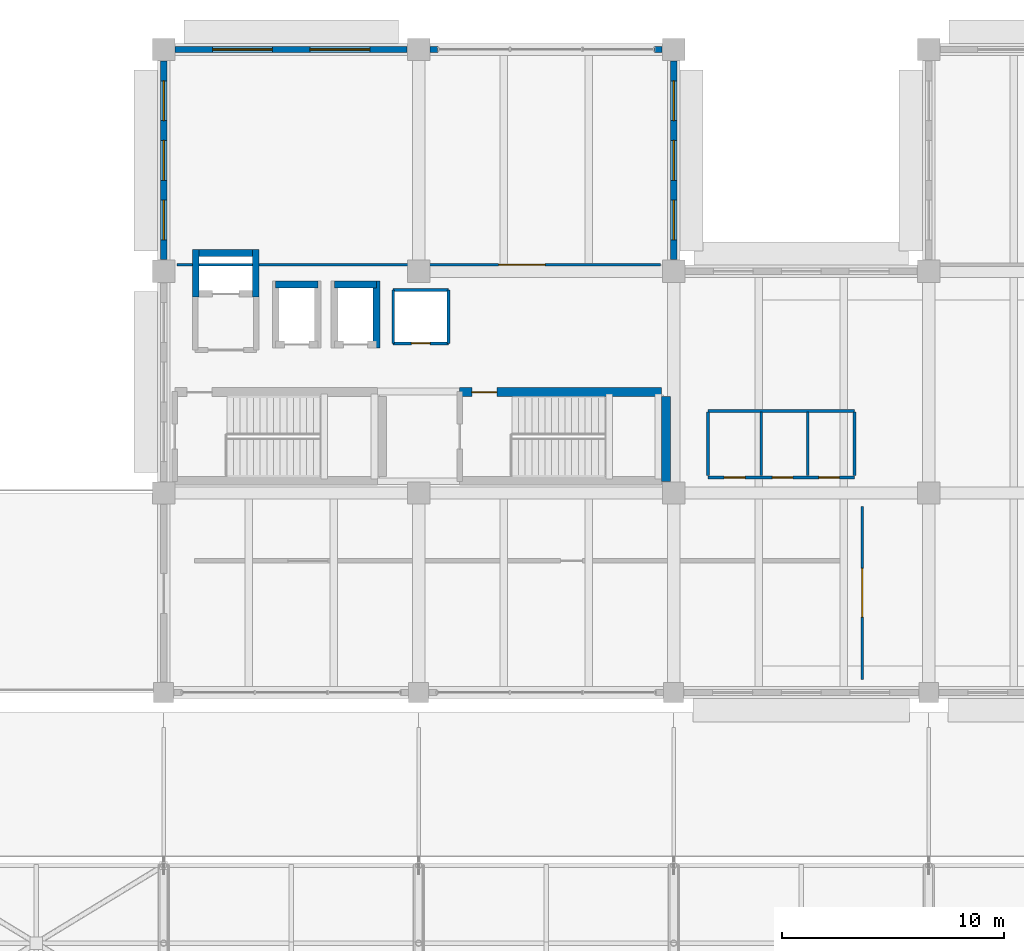
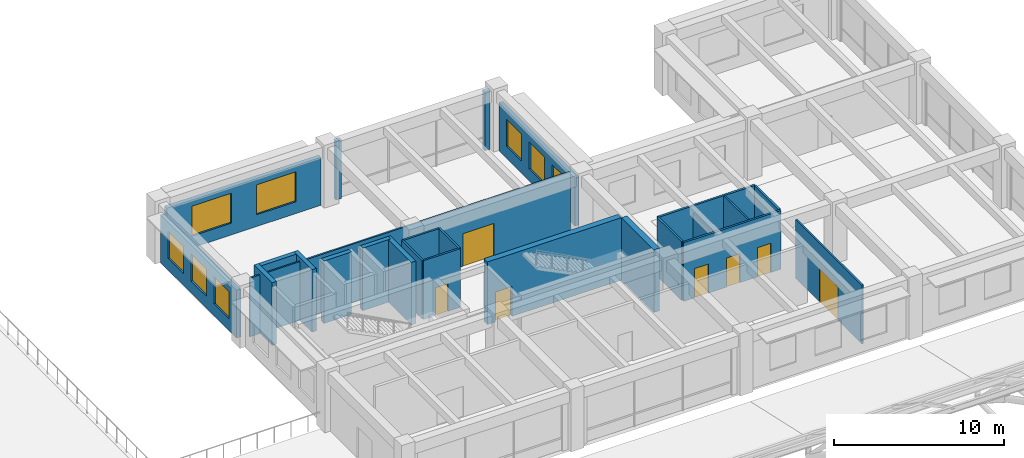
# One storey, part 138 of 154: 25 walls, 8 windows, 7 doors, 15 openings.
"""IFC4 building model written with IfcOpenShell, lengths in metres."""

from ifc_helpers import new_model, si_unit, direction, frame, frame_2d, origin, place, context, subcontext, project, spatial, rectangle, extrude, material, layer, layer_set, type_object, element, fill, save


model = new_model("IFC4")

# Units and contexts
model_context = context("Model", 3, precision=1e-05, world=origin(), true_north=direction((0.0, 1.0)))
body_context = subcontext(model_context, "Body", "Model", "MODEL_VIEW")
ifc_project = project(units=[si_unit("LENGTHUNIT", "METRE"), si_unit("AREAUNIT", "SQUARE_METRE"), si_unit("VOLUMEUNIT", "CUBIC_METRE"), si_unit("PLANEANGLEUNIT", "RADIAN"), si_unit("MASSUNIT", "GRAM", prefix="KILO")], contexts=[model_context])

# Site, building, storey
site_placement = place(None, origin())
site = spatial("IfcSite", under=ifc_project, at=site_placement, CompositionType="ELEMENT")
building_placement = place(site_placement, origin())
building = spatial("IfcBuilding", under=site, at=building_placement, Name="Ologun Quay Terminus", CompositionType="ELEMENT")
storey_placement = place(building_placement, frame((0.0, 0.0, 13.800048828125)))
storey = spatial("IfcBuildingStorey", under=building, at=storey_placement, Name="L03", CompositionType="ELEMENT", Elevation=13.800048828125)

# Wall, opening, door
ifc_material_1 = material(Name="Concrete C40/50", Category="concrete")
ifc_layer_1 = layer(ifc_material_1, 0.39990234375)
ifc_layer_set_1 = layer_set([ifc_layer_1], Name="Concrete C40/50")
wall_type_1 = type_object("IfcWallType", Name="Coupled Wing Upper Core Shear Wall 400", PredefinedType="SHEAR", material=ifc_layer_set_1)
wall_1_placement = place(storey_placement, frame((36.35009765625, 99.35009765625, 0.0), z_axis=(0.0, 0.0, 1.0), x_axis=(1.0, 0.0, 0.0)))
wall_1 = element("IfcWall", 1, at=wall_1_placement, inside=storey, type_object=wall_type_1, Name="WC2 Core North Shear Wall L03", PredefinedType="SHEAR", context=body_context, shape_type="SweptSolid", body=[
    extrude(rectangle(XDim=9.099853515625, YDim=0.39990234375, at=frame_2d((4.5498046875, 0.0))), origin(), (0.0, 0.0, 1.0), 4.5),
])
opening_1_placement = place(wall_1_placement, frame((0.550048828125, 0.0, 0.0)))
opening_1 = element("IfcOpeningElement", 2, at=opening_1_placement, cuts=wall_1, Name="Opening ID-124", PredefinedType="OPENING", context=body_context, shape_type="SweptSolid", body=[
    extrude(rectangle(XDim=1.1298828125, YDim=2.14990234375, at=frame_2d((0.56494140625, 1.074951171875))), frame((0.0, 0.2099609375, 0.0), z_axis=(0.0, -1.0, 0.0), x_axis=(1.0, 0.0, 0.0)), (0.0, 0.0, 1.0), 0.419921875),
])
ifc_material_2 = material(Name="Steel S355", Category="steel")
door_type_1 = type_object("IfcDoorType", Name="Stairwell Fire Escape Door 1130x2150", OperationType="SINGLE_SWING_LEFT", PredefinedType="DOOR", material=ifc_material_2)
door_1_placement = place(opening_1_placement, frame((0.56494140625, 0.0, 0.0), z_axis=(0.0, 0.0, 1.0), x_axis=(-1.0, 0.0, 0.0)))
door_1 = element("IfcDoor", 3, at=door_1_placement, inside=storey, type_object=door_type_1, Name="FD-01 Door ID-124", OperationType="SINGLE_SWING_LEFT", OverallHeight=2.14990234375, OverallWidth=1.1298828125, PredefinedType="DOOR", context=body_context, shape_type="SweptSolid", body=[
    extrude(rectangle(XDim=1.1298828125, YDim=2.14990234375, at=frame_2d((0.0, 1.074951171875))), frame((0.0, 0.02490234375, 0.0), z_axis=(0.0, -1.0, 0.0), x_axis=(1.0, 0.0, 0.0)), (0.0, 0.0, 1.0), 0.050048828125),
])
fill(opening_1, door_1)

# Wall
wall_2_placement = place(storey_placement, frame((45.64990234375, 95.320068359375, 0.0), z_axis=(0.0, 0.0, 1.0), x_axis=(0.0, 1.0, 0.0)))
element("IfcWall", 4, at=wall_2_placement, inside=storey, type_object=wall_type_1, Name="WC2 Core East Shear Wall L03", PredefinedType="SHEAR", context=body_context, shape_type="SweptSolid", body=[
    extrude(rectangle(XDim=3.829833984375, YDim=0.39990234375, at=frame_2d((1.9150390625, 0.0))), origin(), (0.0, 0.0, 1.0), 4.5),
])

# Wall, openings, windows
ifc_material_3 = material(Name="Concrete C40/50", Category="concrete")
ifc_layer_2 = layer(ifc_material_3, 0.280029296875)
ifc_layer_set_2 = layer_set([ifc_layer_2], Name="Concrete C40/50")
wall_type_2 = type_object("IfcWallType", Name="Courtyard Wing Spandrel Concrete Wall 280", PredefinedType="SOLIDWALL", material=ifc_layer_set_2)
wall_3_placement = place(storey_placement, frame((46.0, 105.320068359375, 0.0), z_axis=(0.0, 0.0, 1.0), x_axis=(0.0, 1.0, 0.0)))
wall_3 = element("IfcWall", 5, at=wall_3_placement, inside=storey, type_object=wall_type_2, Name="EW-02 Facade Wall WEW-WW-O-L03-11", PredefinedType="SOLIDWALL", context=body_context, shape_type="SweptSolid", body=[
    extrude(rectangle(XDim=8.9599609375, YDim=0.280029296875, at=frame_2d((4.47998046875, 0.0))), origin(), (0.0, 0.0, 1.0), 3.449951171875),
])
opening_2_placement = place(wall_3_placement, frame((0.889892578125, 0.0, 0.85009765625)))
opening_2 = element("IfcOpeningElement", 6, at=opening_2_placement, cuts=wall_3, Name="Opening WN-300", PredefinedType="OPENING", context=body_context, shape_type="SweptSolid", body=[
    extrude(rectangle(XDim=1.800048828125, YDim=1.949951171875, at=frame_2d((0.89990234375, 0.97509765625))), frame((0.0, 0.14990234375, 0.0), z_axis=(0.0, -1.0, 0.0), x_axis=(1.0, 0.0, 0.0)), (0.0, 0.0, 1.0), 0.300048828125),
])
opening_3_placement = place(wall_3_placement, frame((3.580078125, 0.0, 0.85009765625)))
opening_3 = element("IfcOpeningElement", 7, at=opening_3_placement, cuts=wall_3, Name="Opening WN-301", PredefinedType="OPENING", context=body_context, shape_type="SweptSolid", body=[
    extrude(rectangle(XDim=1.800048828125, YDim=1.949951171875, at=frame_2d((0.89990234375, 0.97509765625))), frame((0.0, 0.14990234375, 0.0), z_axis=(0.0, -1.0, 0.0), x_axis=(1.0, 0.0, 0.0)), (0.0, 0.0, 1.0), 0.300048828125),
])
opening_4_placement = place(wall_3_placement, frame((6.27001953125, 0.0, 0.85009765625)))
opening_4 = element("IfcOpeningElement", 8, at=opening_4_placement, cuts=wall_3, Name="Opening WN-302", PredefinedType="OPENING", context=body_context, shape_type="SweptSolid", body=[
    extrude(rectangle(XDim=1.800048828125, YDim=1.949951171875, at=frame_2d((0.89990234375, 0.97509765625))), frame((0.0, 0.14990234375, 0.0), z_axis=(0.0, -1.0, 0.0), x_axis=(1.0, 0.0, 0.0)), (0.0, 0.0, 1.0), 0.300048828125),
])
ifc_material_4 = material(Name="Glass", Category="glass")
window_type_1 = type_object("IfcWindowType", Name="Waterfront Pavilion Module Window 1800x1950", PartitioningType="SINGLE_PANEL", PredefinedType="WINDOW", material=ifc_material_4)
window_1_placement = place(opening_2_placement, origin())
window_1 = element("IfcWindow", 9, at=window_1_placement, inside=storey, type_object=window_type_1, Name="W-11 Window WN-300", OverallHeight=1.949951171875, OverallWidth=1.800048828125, PartitioningType="SINGLE_PANEL", PredefinedType="WINDOW", context=body_context, shape_type="SweptSolid", body=[
    extrude(rectangle(XDim=1.800048828125, YDim=1.949951171875, at=frame_2d((0.89990234375, 0.97509765625))), frame((0.0, 0.030029296875, 0.0), z_axis=(0.0, -1.0, 0.0), x_axis=(1.0, 0.0, 0.0)), (0.0, 0.0, 1.0), 0.06005859375),
])
fill(opening_2, window_1)
window_2_placement = place(opening_3_placement, origin())
window_2 = element("IfcWindow", 10, at=window_2_placement, inside=storey, type_object=window_type_1, Name="W-11 Window WN-301", OverallHeight=1.949951171875, OverallWidth=1.800048828125, PartitioningType="SINGLE_PANEL", PredefinedType="WINDOW", context=body_context, shape_type="SweptSolid", body=[
    extrude(rectangle(XDim=1.800048828125, YDim=1.949951171875, at=frame_2d((0.89990234375, 0.97509765625))), frame((0.0, 0.030029296875, 0.0), z_axis=(0.0, -1.0, 0.0), x_axis=(1.0, 0.0, 0.0)), (0.0, 0.0, 1.0), 0.06005859375),
])
fill(opening_3, window_2)
window_3_placement = place(opening_4_placement, origin())
window_3 = element("IfcWindow", 11, at=window_3_placement, inside=storey, type_object=window_type_1, Name="W-11 Window WN-302", OverallHeight=1.949951171875, OverallWidth=1.800048828125, PartitioningType="SINGLE_PANEL", PredefinedType="WINDOW", context=body_context, shape_type="SweptSolid", body=[
    extrude(rectangle(XDim=1.800048828125, YDim=1.949951171875, at=frame_2d((0.89990234375, 0.97509765625))), frame((0.0, 0.030029296875, 0.0), z_axis=(0.0, -1.0, 0.0), x_axis=(1.0, 0.0, 0.0)), (0.0, 0.0, 1.0), 0.06005859375),
])
fill(opening_4, window_3)

wall_4_placement = place(storey_placement, frame((23.52001953125, 114.800048828125, 0.0), z_axis=(0.0, 0.0, 1.0), x_axis=(1.0, 0.0, 0.0)))
wall_4 = element("IfcWall", 12, at=wall_4_placement, inside=storey, type_object=wall_type_2, Name="EW-02 Facade Wall WEW-WW-N-L03-12", PredefinedType="SOLIDWALL", context=body_context, shape_type="SweptSolid", body=[
    extrude(rectangle(XDim=10.4599609375, YDim=0.280029296875, at=frame_2d((5.22998046875, 0.0))), origin(), (0.0, 0.0, 1.0), 3.449951171875),
])
opening_5_placement = place(wall_4_placement, frame((1.686767578125, 0.0, 0.85009765625)))
opening_5 = element("IfcOpeningElement", 13, at=opening_5_placement, cuts=wall_4, Name="Opening WN-303", PredefinedType="OPENING", context=body_context, shape_type="SweptSolid", body=[
    extrude(rectangle(XDim=2.699951171875, YDim=2.14990234375, at=frame_2d((1.35009765625, 1.074951171875))), frame((0.0, 0.14990234375, 0.0), z_axis=(0.0, -1.0, 0.0), x_axis=(1.0, 0.0, 0.0)), (0.0, 0.0, 1.0), 0.300048828125),
])
opening_6_placement = place(wall_4_placement, frame((6.0732421875, 0.0, 0.85009765625)))
opening_6 = element("IfcOpeningElement", 14, at=opening_6_placement, cuts=wall_4, Name="Opening WN-304", PredefinedType="OPENING", context=body_context, shape_type="SweptSolid", body=[
    extrude(rectangle(XDim=2.699951171875, YDim=2.14990234375, at=frame_2d((1.35009765625, 1.074951171875))), frame((0.0, 0.14990234375, 0.0), z_axis=(0.0, -1.0, 0.0), x_axis=(1.0, 0.0, 0.0)), (0.0, 0.0, 1.0), 0.300048828125),
])
ifc_material_5 = material(Name="Glass", Category="glass")
window_type_2 = type_object("IfcWindowType", Name="Lagoon Restaurant Panorama Window 2700x2150", PartitioningType="SINGLE_PANEL", PredefinedType="WINDOW", material=ifc_material_5)
window_4_placement = place(opening_5_placement, origin())
window_4 = element("IfcWindow", 15, at=window_4_placement, inside=storey, type_object=window_type_2, Name="W-15 Window WN-303", OverallHeight=2.14990234375, OverallWidth=2.699951171875, PartitioningType="SINGLE_PANEL", PredefinedType="WINDOW", context=body_context, shape_type="SweptSolid", body=[
    extrude(rectangle(XDim=2.699951171875, YDim=2.14990234375, at=frame_2d((1.35009765625, 1.074951171875))), frame((0.0, 0.030029296875, 0.0), z_axis=(0.0, -1.0, 0.0), x_axis=(1.0, 0.0, 0.0)), (0.0, 0.0, 1.0), 0.06005859375),
])
fill(opening_5, window_4)
window_5_placement = place(opening_6_placement, origin())
window_5 = element("IfcWindow", 16, at=window_5_placement, inside=storey, type_object=window_type_2, Name="W-15 Window WN-304", OverallHeight=2.14990234375, OverallWidth=2.699951171875, PartitioningType="SINGLE_PANEL", PredefinedType="WINDOW", context=body_context, shape_type="SweptSolid", body=[
    extrude(rectangle(XDim=2.699951171875, YDim=2.14990234375, at=frame_2d((1.35009765625, 1.074951171875))), frame((0.0, 0.030029296875, 0.0), z_axis=(0.0, -1.0, 0.0), x_axis=(1.0, 0.0, 0.0)), (0.0, 0.0, 1.0), 0.06005859375),
])
fill(opening_6, window_5)

# Walls
for number, where, z_axis, x_axis, name in (
    (17, (35.02001953125, 114.800048828125, 0.0), (0.0, 0.0, 1.0), (1.0, 0.0, 0.0), "Curtain Wall Jamb Pier CW-L03-114-J1"),
    (18, (45.1298828125, 114.800048828125, 0.0), (0.0, 0.0, 1.0), (1.0, 0.0, 0.0), "Curtain Wall Jamb Pier CW-L03-114-J2"),
):
    element("IfcWall", number, at=place(storey_placement, frame(where, z_axis=z_axis, x_axis=x_axis)), inside=storey, type_object=wall_type_2, Name=name, PredefinedType="SOLIDWALL", context=body_context, shape_type="SweptSolid", body=[
        extrude(rectangle(XDim=0.35009765625, YDim=0.280029296875, at=frame_2d((0.175048828125, 0.0))), origin(), (0.0, 0.0, 1.0), 4.22998046875),
    ])

# Wall, openings, windows
wall_5_placement = place(storey_placement, frame((23.0, 105.320068359375, 0.0), z_axis=(0.0, 0.0, 1.0), x_axis=(0.0, 1.0, 0.0)))
wall_5 = element("IfcWall", 19, at=wall_5_placement, inside=storey, type_object=wall_type_2, Name="EW-02 Facade Wall WEW-WW-O-L03-16", PredefinedType="SOLIDWALL", context=body_context, shape_type="SweptSolid", body=[
    extrude(rectangle(XDim=8.9599609375, YDim=0.280029296875, at=frame_2d((4.47998046875, 0.0))), origin(), (0.0, 0.0, 1.0), 3.449951171875),
])
opening_7_placement = place(wall_5_placement, frame((0.889892578125, 0.0, 0.85009765625)))
opening_7 = element("IfcOpeningElement", 20, at=opening_7_placement, cuts=wall_5, Name="Opening WN-308", PredefinedType="OPENING", context=body_context, shape_type="SweptSolid", body=[
    extrude(rectangle(XDim=1.800048828125, YDim=1.949951171875, at=frame_2d((0.89990234375, 0.97509765625))), frame((0.0, 0.14990234375, 0.0), z_axis=(0.0, -1.0, 0.0), x_axis=(1.0, 0.0, 0.0)), (0.0, 0.0, 1.0), 0.300048828125),
])
opening_8_placement = place(wall_5_placement, frame((3.580078125, 0.0, 0.85009765625)))
opening_8 = element("IfcOpeningElement", 21, at=opening_8_placement, cuts=wall_5, Name="Opening WN-309", PredefinedType="OPENING", context=body_context, shape_type="SweptSolid", body=[
    extrude(rectangle(XDim=1.800048828125, YDim=1.949951171875, at=frame_2d((0.89990234375, 0.97509765625))), frame((0.0, 0.14990234375, 0.0), z_axis=(0.0, -1.0, 0.0), x_axis=(1.0, 0.0, 0.0)), (0.0, 0.0, 1.0), 0.300048828125),
])
opening_9_placement = place(wall_5_placement, frame((6.27001953125, 0.0, 0.85009765625)))
opening_9 = element("IfcOpeningElement", 22, at=opening_9_placement, cuts=wall_5, Name="Opening WN-310", PredefinedType="OPENING", context=body_context, shape_type="SweptSolid", body=[
    extrude(rectangle(XDim=1.800048828125, YDim=1.949951171875, at=frame_2d((0.89990234375, 0.97509765625))), frame((0.0, 0.14990234375, 0.0), z_axis=(0.0, -1.0, 0.0), x_axis=(1.0, 0.0, 0.0)), (0.0, 0.0, 1.0), 0.300048828125),
])
window_6_placement = place(opening_7_placement, origin())
window_6 = element("IfcWindow", 23, at=window_6_placement, inside=storey, type_object=window_type_1, Name="W-11 Window WN-308", OverallHeight=1.949951171875, OverallWidth=1.800048828125, PartitioningType="SINGLE_PANEL", PredefinedType="WINDOW", context=body_context, shape_type="SweptSolid", body=[
    extrude(rectangle(XDim=1.800048828125, YDim=1.949951171875, at=frame_2d((0.89990234375, 0.97509765625))), frame((0.0, 0.030029296875, 0.0), z_axis=(0.0, -1.0, 0.0), x_axis=(1.0, 0.0, 0.0)), (0.0, 0.0, 1.0), 0.06005859375),
])
fill(opening_7, window_6)
window_7_placement = place(opening_8_placement, origin())
window_7 = element("IfcWindow", 24, at=window_7_placement, inside=storey, type_object=window_type_1, Name="W-11 Window WN-309", OverallHeight=1.949951171875, OverallWidth=1.800048828125, PartitioningType="SINGLE_PANEL", PredefinedType="WINDOW", context=body_context, shape_type="SweptSolid", body=[
    extrude(rectangle(XDim=1.800048828125, YDim=1.949951171875, at=frame_2d((0.89990234375, 0.97509765625))), frame((0.0, 0.030029296875, 0.0), z_axis=(0.0, -1.0, 0.0), x_axis=(1.0, 0.0, 0.0)), (0.0, 0.0, 1.0), 0.06005859375),
])
fill(opening_8, window_7)
window_8_placement = place(opening_9_placement, origin())
window_8 = element("IfcWindow", 25, at=window_8_placement, inside=storey, type_object=window_type_1, Name="W-11 Window WN-310", OverallHeight=1.949951171875, OverallWidth=1.800048828125, PartitioningType="SINGLE_PANEL", PredefinedType="WINDOW", context=body_context, shape_type="SweptSolid", body=[
    extrude(rectangle(XDim=1.800048828125, YDim=1.949951171875, at=frame_2d((0.89990234375, 0.97509765625))), frame((0.0, 0.030029296875, 0.0), z_axis=(0.0, -1.0, 0.0), x_axis=(1.0, 0.0, 0.0)), (0.0, 0.0, 1.0), 0.06005859375),
])
fill(opening_9, window_8)

# Walls
ifc_material_6 = material(Name="Concrete C40/50", Category="concrete")
ifc_layer_3 = layer(ifc_material_6, 0.300048828125)
ifc_layer_set_3 = layer_set([ifc_layer_3], Name="Concrete C40/50")
wall_type_3 = type_object("IfcWallType", Name="Lift Shaft Structural Shear Wall 300", PredefinedType="SHEAR", material=ifc_layer_set_3)
wall_6_placement = place(storey_placement, frame((24.449951171875, 105.6201171875, 0.0), z_axis=(0.0, 0.0, 1.0), x_axis=(1.0, 0.0, 0.0)))
element("IfcWall", 26, at=wall_6_placement, inside=storey, type_object=wall_type_3, Name="Lift FFL-01 Shaft Wall N L03", PredefinedType="SHEAR", context=body_context, shape_type="SweptSolid", body=[
    extrude(rectangle(XDim=2.699951171875, YDim=0.300048828125, at=frame_2d((1.35009765625, 0.0))), origin(), (0.0, 0.0, 1.0), 4.5),
])
for number, where, z_axis, x_axis, name in (
    (27, (24.449951171875, 103.6298828125, 0.0), (0.0, 0.0, 1.0), (0.0, 1.0, 0.0), "Lift FFL-01 Shaft Wall W L03"),
    (28, (27.14990234375, 103.6298828125, 0.0), (0.0, 0.0, 1.0), (0.0, 1.0, 0.0), "Lift FFL-01 Shaft Wall E L03"),
):
    element("IfcWall", number, at=place(storey_placement, frame(where, z_axis=z_axis, x_axis=x_axis)), inside=storey, type_object=wall_type_3, Name=name, PredefinedType="SHEAR", context=body_context, shape_type="SweptSolid", body=[
        extrude(rectangle(XDim=2.14013671875, YDim=0.300048828125, at=frame_2d((1.070068359375, 0.0))), origin(), (0.0, 0.0, 1.0), 4.5),
    ])
wall_7_placement = place(storey_placement, frame((28.050048828125, 104.199951171875, 0.0), z_axis=(0.0, 0.0, 1.0), x_axis=(1.0, 0.0, 0.0)))
element("IfcWall", 29, at=wall_7_placement, inside=storey, type_object=wall_type_3, Name="Lift PL-W1 Shaft Wall N L03", PredefinedType="SHEAR", context=body_context, shape_type="SweptSolid", body=[
    extrude(rectangle(XDim=1.89990234375, YDim=0.300048828125, at=frame_2d((0.949951171875, 0.0))), origin(), (0.0, 0.0, 1.0), 4.5),
])
wall_8_placement = place(storey_placement, frame((30.699951171875, 104.199951171875, 0.0), z_axis=(0.0, 0.0, 1.0), x_axis=(1.0, 0.0, 0.0)))
element("IfcWall", 30, at=wall_8_placement, inside=storey, type_object=wall_type_3, Name="Lift PL-W2 Shaft Wall N L03", PredefinedType="SHEAR", context=body_context, shape_type="SweptSolid", body=[
    extrude(rectangle(XDim=1.900146484375, YDim=0.300048828125, at=frame_2d((0.9501953125, 0.0))), origin(), (0.0, 0.0, 1.0), 4.5),
])
wall_9_placement = place(storey_placement, frame((32.60009765625, 101.35009765625, 0.0), z_axis=(0.0, 0.0, 1.0), x_axis=(0.0, 1.0, 0.0)))
element("IfcWall", 31, at=wall_9_placement, inside=storey, type_object=wall_type_3, Name="Lift PL-W2 Shaft Wall E L03", PredefinedType="SHEAR", context=body_context, shape_type="SweptSolid", body=[
    extrude(rectangle(XDim=3.0, YDim=0.300048828125, at=frame_2d((1.5, 0.0))), origin(), (0.0, 0.0, 1.0), 4.5),
])
ifc_material_7 = material(Name="Gypsum Acoustic Stud")
ifc_layer_4 = layer(ifc_material_7, 0.10498046875)
ifc_layer_set_4 = layer_set([ifc_layer_4], Name="Gypsum Acoustic Stud")
wall_type_4 = type_object("IfcWallType", Name="Light Cubicle Partition 105", PredefinedType="PARTITIONING", material=ifc_layer_set_4)
wall_10_placement = place(storey_placement, frame((49.949951171875, 95.60009765625, 0.0), z_axis=(0.0, 0.0, 1.0), x_axis=(0.0, 1.0, 0.0)))
element("IfcWall", 32, at=wall_10_placement, inside=storey, type_object=wall_type_4, Name="PW-13 Partition WWC-D1", PredefinedType="PARTITIONING", context=body_context, shape_type="SweptSolid", body=[
    extrude(rectangle(XDim=2.849853515625, YDim=0.10498046875, at=frame_2d((1.4248046875, 0.0))), origin(), (0.0, 0.0, 1.0), 3.699951171875),
])
wall_11_placement = place(storey_placement, frame((52.050048828125, 95.60009765625, 0.0), z_axis=(0.0, 0.0, 1.0), x_axis=(0.0, 1.0, 0.0)))
element("IfcWall", 33, at=wall_11_placement, inside=storey, type_object=wall_type_4, Name="PW-13 Partition WWC-D2", PredefinedType="PARTITIONING", context=body_context, shape_type="SweptSolid", body=[
    extrude(rectangle(XDim=2.849853515625, YDim=0.10498046875, at=frame_2d((1.4248046875, 0.0))), origin(), (0.0, 0.0, 1.0), 4.219970703125),
])

# Wall, opening, door
ifc_material_8 = material(Name="Concrete C40/50", Category="concrete")
ifc_layer_5 = layer(ifc_material_8, 0.1298828125)
ifc_layer_set_5 = layer_set([ifc_layer_5], Name="Concrete C40/50")
wall_type_5 = type_object("IfcWallType", Name="Riser & Service Duct Wall 130", PredefinedType="PLUMBINGWALL", material=ifc_layer_set_5)
wall_12_placement = place(storey_placement, frame((33.35009765625, 101.550048828125, 0.0), z_axis=(0.0, 0.0, 1.0), x_axis=(1.0, 0.0, 0.0)))
wall_12 = element("IfcWall", 34, at=wall_12_placement, inside=storey, type_object=wall_type_5, Name="PW-07 Partition WRiser-S", PredefinedType="PLUMBINGWALL", context=body_context, shape_type="SweptSolid", body=[
    extrude(rectangle(XDim=2.5, YDim=0.1298828125, at=frame_2d((1.25, 0.0))), origin(), (0.0, 0.0, 1.0), 4.219970703125),
])
opening_10_placement = place(wall_12_placement, frame((0.820068359375, 0.0, 0.0)))
opening_10 = element("IfcOpeningElement", 35, at=opening_10_placement, cuts=wall_12, Name="Opening ID-126", PredefinedType="OPENING", context=body_context, shape_type="SweptSolid", body=[
    extrude(rectangle(XDim=0.85009765625, YDim=2.0, at=frame_2d((0.425048828125, 1.0))), frame((0.0, 0.074951171875, 0.0), z_axis=(0.0, -1.0, 0.0), x_axis=(1.0, 0.0, 0.0)), (0.0, 0.0, 1.0), 0.14990234375),
])
ifc_material_9 = material(Name="Steel S355", Category="steel")
door_type_2 = type_object("IfcDoorType", Name="MEP Riser Access Trapdoor 850x2000", OperationType="SINGLE_SWING_LEFT", PredefinedType="TRAPDOOR", material=ifc_material_9)
door_2_placement = place(opening_10_placement, origin())
door_2 = element("IfcDoor", 36, at=door_2_placement, inside=storey, type_object=door_type_2, Name="RD-01 Door ID-126", OperationType="SINGLE_SWING_LEFT", OverallHeight=2.0, OverallWidth=0.85009765625, PredefinedType="TRAPDOOR", context=body_context, shape_type="SweptSolid", body=[
    extrude(rectangle(XDim=0.85009765625, YDim=2.0, at=frame_2d((0.425048828125, 1.0))), frame((0.0, 0.02490234375, 0.0), z_axis=(0.0, -1.0, 0.0), x_axis=(1.0, 0.0, 0.0)), (0.0, 0.0, 1.0), 0.050048828125),
])
fill(opening_10, door_2)

# Walls
for number, where, z_axis, x_axis, name in (
    (37, (33.35009765625, 101.550048828125, 0.0), (0.0, 0.0, 1.0), (0.0, 1.0, 0.0), "PW-07 Partition WRiser-W"),
    (38, (35.85009765625, 101.550048828125, 0.0), (0.0, 0.0, 1.0), (0.0, 1.0, 0.0), "PW-07 Partition WRiser-E"),
):
    element("IfcWall", number, at=place(storey_placement, frame(where, z_axis=z_axis, x_axis=x_axis)), inside=storey, type_object=wall_type_5, Name=name, PredefinedType="PLUMBINGWALL", context=body_context, shape_type="SweptSolid", body=[
        extrude(rectangle(XDim=2.39990234375, YDim=0.1298828125, at=frame_2d((1.199951171875, 0.0))), origin(), (0.0, 0.0, 1.0), 4.219970703125),
    ])
wall_13_placement = place(storey_placement, frame((33.35009765625, 103.949951171875, 0.0), z_axis=(0.0, 0.0, 1.0), x_axis=(1.0, 0.0, 0.0)))
element("IfcWall", 39, at=wall_13_placement, inside=storey, type_object=wall_type_5, Name="PW-07 Partition WRiser-N", PredefinedType="PLUMBINGWALL", context=body_context, shape_type="SweptSolid", body=[
    extrude(rectangle(XDim=2.5, YDim=0.1298828125, at=frame_2d((1.25, 0.0))), origin(), (0.0, 0.0, 1.0), 4.219970703125),
])

# Wall, openings, doors
ifc_material_10 = material(Name="Concrete C40/50", Category="concrete")
ifc_layer_6 = layer(ifc_material_10, 0.139892578125)
ifc_layer_set_6 = layer_set([ifc_layer_6], Name="Concrete C40/50")
wall_type_6 = type_object("IfcWallType", Name="Sanitary Wet-Area Blockwork Wall 140", PredefinedType="PLUMBINGWALL", material=ifc_layer_set_6)
wall_14_placement = place(storey_placement, frame((47.550048828125, 95.5, 0.0), z_axis=(0.0, 0.0, 1.0), x_axis=(1.0, 0.0, 0.0)))
wall_14 = element("IfcWall", 40, at=wall_14_placement, inside=storey, type_object=wall_type_6, Name="PW-06 Partition WWC-S", PredefinedType="PLUMBINGWALL", context=body_context, shape_type="SweptSolid", body=[
    extrude(rectangle(XDim=6.599853515625, YDim=0.139892578125, at=frame_2d((3.2998046875, 0.0))), origin(), (0.0, 0.0, 1.0), 4.219970703125),
])
opening_11_placement = place(wall_14_placement, frame((0.719970703125, 0.0, 0.0)))
opening_11 = element("IfcOpeningElement", 41, at=opening_11_placement, cuts=wall_14, Name="Opening ID-127", PredefinedType="OPENING", context=body_context, shape_type="SweptSolid", body=[
    extrude(rectangle(XDim=0.949951171875, YDim=2.10009765625, at=frame_2d((0.47509765625, 1.050048828125))), frame((0.0, 0.080078125, 0.0), z_axis=(0.0, -1.0, 0.0), x_axis=(1.0, 0.0, 0.0)), (0.0, 0.0, 1.0), 0.159912109375),
])
opening_12_placement = place(wall_14_placement, frame((2.89990234375, 0.0, 0.0)))
opening_12 = element("IfcOpeningElement", 42, at=opening_12_placement, cuts=wall_14, Name="Opening ID-128", PredefinedType="OPENING", context=body_context, shape_type="SweptSolid", body=[
    extrude(rectangle(XDim=0.919921875, YDim=2.10009765625, at=frame_2d((0.4599609375, 1.050048828125))), frame((0.0, 0.080078125, 0.0), z_axis=(0.0, -1.0, 0.0), x_axis=(1.0, 0.0, 0.0)), (0.0, 0.0, 1.0), 0.159912109375),
])
opening_13_placement = place(wall_14_placement, frame((5.0, 0.0, 0.0)))
opening_13 = element("IfcOpeningElement", 43, at=opening_13_placement, cuts=wall_14, Name="Opening ID-129", PredefinedType="OPENING", context=body_context, shape_type="SweptSolid", body=[
    extrude(rectangle(XDim=0.919921875, YDim=2.10009765625, at=frame_2d((0.4599609375, 1.050048828125))), frame((0.0, 0.080078125, 0.0), z_axis=(0.0, -1.0, 0.0), x_axis=(1.0, 0.0, 0.0)), (0.0, 0.0, 1.0), 0.159912109375),
])
ifc_material_11 = material(Name="Timber Hardwood", Category="wood")
door_type_3 = type_object("IfcDoorType", Name="Accessible WC Outward-Swing Door 950x2100", OperationType="SINGLE_SWING_LEFT", PredefinedType="DOOR", material=ifc_material_11)
door_3_placement = place(opening_11_placement, frame((0.47509765625, 0.0, 0.0), z_axis=(0.0, 0.0, 1.0), x_axis=(-1.0, 0.0, 0.0)))
door_3 = element("IfcDoor", 44, at=door_3_placement, inside=storey, type_object=door_type_3, Name="ID-04 Door ID-127", OperationType="SINGLE_SWING_LEFT", OverallHeight=2.10009765625, OverallWidth=0.949951171875, PredefinedType="DOOR", context=body_context, shape_type="SweptSolid", body=[
    extrude(rectangle(XDim=0.949951171875, YDim=2.10009765625, at=frame_2d((0.0, 1.050048828125))), frame((0.0, 0.02490234375, 0.0), z_axis=(0.0, -1.0, 0.0), x_axis=(1.0, 0.0, 0.0)), (0.0, 0.0, 1.0), 0.050048828125),
])
fill(opening_11, door_3)
ifc_material_12 = material(Name="Timber Hardwood", Category="wood")
door_type_4 = type_object("IfcDoorType", Name="Sanitary Block Entrance Door 920x2100", OperationType="SINGLE_SWING_RIGHT", PredefinedType="DOOR", material=ifc_material_12)
door_4_placement = place(opening_12_placement, origin())
door_4 = element("IfcDoor", 45, at=door_4_placement, inside=storey, type_object=door_type_4, Name="ID-05 Door ID-128", OperationType="SINGLE_SWING_RIGHT", OverallHeight=2.10009765625, OverallWidth=0.919921875, PredefinedType="DOOR", context=body_context, shape_type="SweptSolid", body=[
    extrude(rectangle(XDim=0.919921875, YDim=2.10009765625, at=frame_2d((0.4599609375, 1.050048828125))), frame((0.0, 0.02490234375, 0.0), z_axis=(0.0, -1.0, 0.0), x_axis=(1.0, 0.0, 0.0)), (0.0, 0.0, 1.0), 0.050048828125),
])
fill(opening_12, door_4)
door_5_placement = place(opening_13_placement, origin())
door_5 = element("IfcDoor", 46, at=door_5_placement, inside=storey, type_object=door_type_4, Name="ID-05 Door ID-129", OperationType="SINGLE_SWING_RIGHT", OverallHeight=2.10009765625, OverallWidth=0.919921875, PredefinedType="DOOR", context=body_context, shape_type="SweptSolid", body=[
    extrude(rectangle(XDim=0.919921875, YDim=2.10009765625, at=frame_2d((0.4599609375, 1.050048828125))), frame((0.0, 0.02490234375, 0.0), z_axis=(0.0, -1.0, 0.0), x_axis=(1.0, 0.0, 0.0)), (0.0, 0.0, 1.0), 0.050048828125),
])
fill(opening_13, door_5)

# Walls
for number, where, z_axis, x_axis, name in (
    (47, (47.550048828125, 95.60009765625, 0.0), (0.0, 0.0, 1.0), (0.0, 1.0, 0.0), "PW-06 Partition WWC-W"),
    (48, (54.14990234375, 95.60009765625, 0.0), (0.0, 0.0, 1.0), (0.0, 1.0, 0.0), "PW-06 Partition WWC-E"),
):
    element("IfcWall", number, at=place(storey_placement, frame(where, z_axis=z_axis, x_axis=x_axis)), inside=storey, type_object=wall_type_6, Name=name, PredefinedType="PLUMBINGWALL", context=body_context, shape_type="SweptSolid", body=[
        extrude(rectangle(XDim=2.849853515625, YDim=0.139892578125, at=frame_2d((1.4248046875, 0.0))), origin(), (0.0, 0.0, 1.0), 4.219970703125),
    ])
wall_15_placement = place(storey_placement, frame((47.550048828125, 98.5, 0.0), z_axis=(0.0, 0.0, 1.0), x_axis=(1.0, 0.0, 0.0)))
element("IfcWall", 49, at=wall_15_placement, inside=storey, type_object=wall_type_6, Name="PW-06 Partition WWC-N", PredefinedType="PLUMBINGWALL", context=body_context, shape_type="SweptSolid", body=[
    extrude(rectangle(XDim=6.599853515625, YDim=0.139892578125, at=frame_2d((3.2998046875, 0.0))), origin(), (0.0, 0.0, 1.0), 4.219970703125),
])

# Wall, opening, door
ifc_material_13 = material(Name="Glass", Category="glass")
ifc_layer_7 = layer(ifc_material_13, 0.110107421875)
ifc_layer_set_7 = layer_set([ifc_layer_7], Name="Glass")
wall_type_7 = type_object("IfcWallType", Name="VIP & Tea Salon Glazed Screen Wall 110", PredefinedType="MOVABLE", material=ifc_layer_set_7)
wall_16_placement = place(storey_placement, frame((54.5, 86.39990234375, 0.0), z_axis=(0.0, 0.0, 1.0), x_axis=(0.0, 1.0, 0.0)))
wall_16 = element("IfcWall", 50, at=wall_16_placement, inside=storey, type_object=wall_type_7, Name="PW-11 Partition L03-LagoonRest-W", PredefinedType="MOVABLE", context=body_context, shape_type="SweptSolid", body=[
    extrude(rectangle(XDim=7.800048828125, YDim=0.110107421875, at=frame_2d((3.89990234375, 0.0))), origin(), (0.0, 0.0, 1.0), 4.219970703125),
])
opening_14_placement = place(wall_16_placement, frame((2.800048828125, 0.0, 0.0)))
opening_14 = element("IfcOpeningElement", 51, at=opening_14_placement, cuts=wall_16, Name="Opening ID-326", PredefinedType="OPENING", context=body_context, shape_type="SweptSolid", body=[
    extrude(rectangle(XDim=2.199951171875, YDim=2.39990234375, at=frame_2d((1.10009765625, 1.199951171875))), frame((0.0, 0.06494140625, 0.0), z_axis=(0.0, -1.0, 0.0), x_axis=(1.0, 0.0, 0.0)), (0.0, 0.0, 1.0), 0.130126953125),
])
ifc_material_14 = material(Name="Glass", Category="glass")
door_type_5 = type_object("IfcDoorType", Name="Harbour Dining Hall Pair 2200x2400", OperationType="DOUBLE_DOOR_SINGLE_SWING", PredefinedType="DOOR", material=ifc_material_14)
door_6_placement = place(opening_14_placement, origin())
door_6 = element("IfcDoor", 52, at=door_6_placement, inside=storey, type_object=door_type_5, Name="ID-10 Door ID-326", OperationType="DOUBLE_DOOR_SINGLE_SWING", OverallHeight=2.39990234375, OverallWidth=2.199951171875, PredefinedType="DOOR", context=body_context, shape_type="SweptSolid", body=[
    extrude(rectangle(XDim=2.199951171875, YDim=2.39990234375, at=frame_2d((1.10009765625, 1.199951171875))), frame((0.0, 0.02490234375, 0.0), z_axis=(0.0, -1.0, 0.0), x_axis=(1.0, 0.0, 0.0)), (0.0, 0.0, 1.0), 0.050048828125),
])
fill(opening_14, door_6)

wall_17_placement = place(storey_placement, frame((23.60009765625, 105.10009765625, 0.0), z_axis=(0.0, 0.0, 1.0), x_axis=(1.0, 0.0, 0.0)))
wall_17 = element("IfcWall", 53, at=wall_17_placement, inside=storey, type_object=wall_type_7, Name="PW-11 Partition L03-ObsLounge-S", PredefinedType="MOVABLE", context=body_context, shape_type="SweptSolid", body=[
    extrude(rectangle(XDim=21.7998046875, YDim=0.110107421875, at=frame_2d((10.89990234375, 0.0))), origin(), (0.0, 0.0, 1.0), 4.219970703125),
])
opening_15_placement = place(wall_17_placement, frame((14.5, 0.0, 0.0)))
opening_15 = element("IfcOpeningElement", 54, at=opening_15_placement, cuts=wall_17, Name="Opening ID-328", PredefinedType="OPENING", context=body_context, shape_type="SweptSolid", body=[
    extrude(rectangle(XDim=2.10009765625, YDim=2.35009765625, at=frame_2d((1.050048828125, 1.175048828125))), frame((0.0, 0.06494140625, 0.0), z_axis=(0.0, -1.0, 0.0), x_axis=(1.0, 0.0, 0.0)), (0.0, 0.0, 1.0), 0.130126953125),
])
ifc_material_15 = material(Name="Glass", Category="glass")
door_type_6 = type_object("IfcDoorType", Name="Waiting Lounge Glazed Pair 2100x2350", OperationType="DOUBLE_DOOR_SINGLE_SWING", PredefinedType="DOOR", material=ifc_material_15)
door_7_placement = place(opening_15_placement, origin())
door_7 = element("IfcDoor", 55, at=door_7_placement, inside=storey, type_object=door_type_6, Name="ID-07 Door ID-328", OperationType="DOUBLE_DOOR_SINGLE_SWING", OverallHeight=2.35009765625, OverallWidth=2.10009765625, PredefinedType="DOOR", context=body_context, shape_type="SweptSolid", body=[
    extrude(rectangle(XDim=2.10009765625, YDim=2.35009765625, at=frame_2d((1.050048828125, 1.175048828125))), frame((0.0, 0.02490234375, 0.0), z_axis=(0.0, -1.0, 0.0), x_axis=(1.0, 0.0, 0.0)), (0.0, 0.0, 1.0), 0.050048828125),
])
fill(opening_15, door_7)

save(model, "model.ifc")
